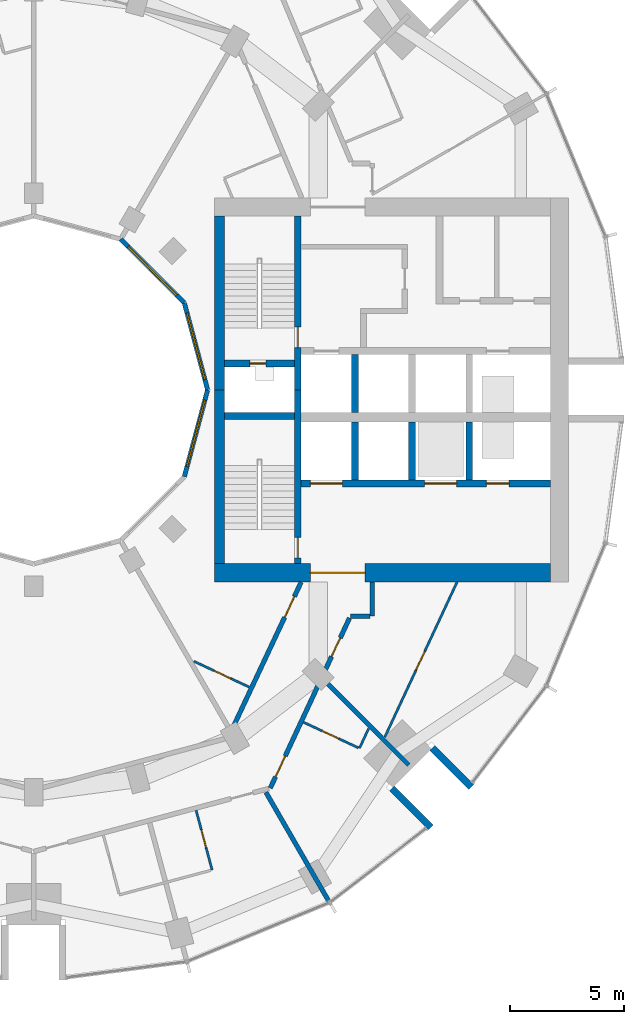
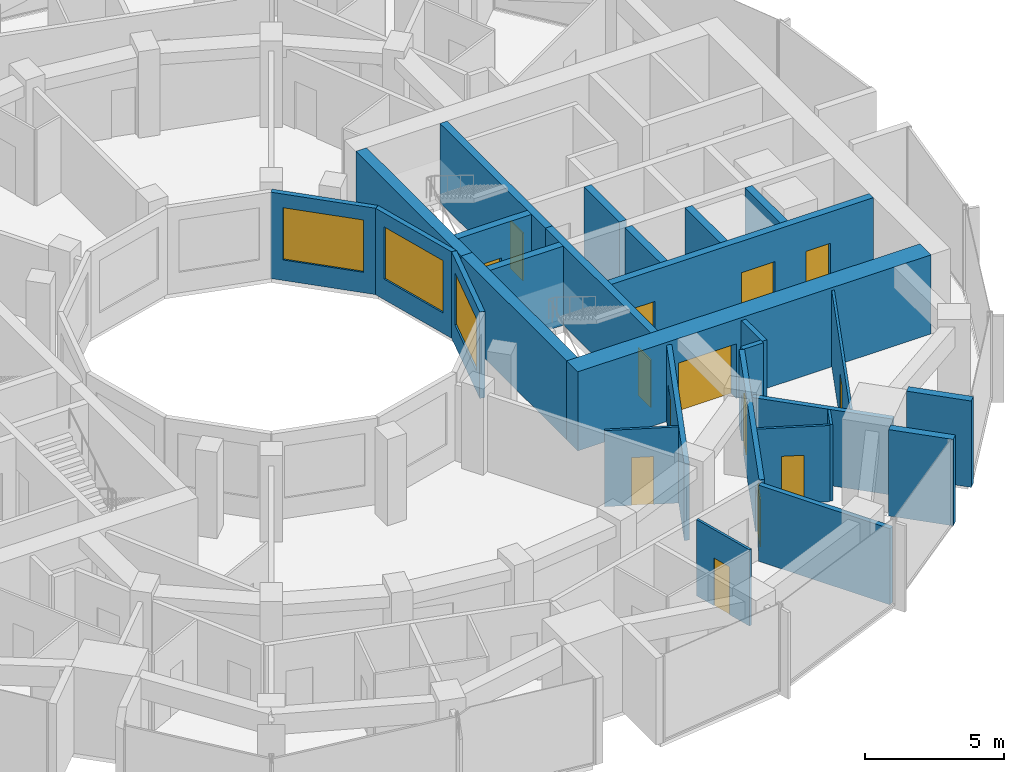
# One storey, part 10 of 15: 28 walls, 14 doors, 3 windows, 17 openings.
"""IFC4 building model written with IfcOpenShell, lengths in metres."""

from ifc_helpers import new_model, si_unit, direction, frame, frame_2d, origin, place, context, subcontext, project, spatial, rectangle, extrude, material, layer, layer_set, type_object, element, fill, save


model = new_model("IFC4")

# Units and contexts
model_context = context("Model", 3, precision=1e-05, world=origin(), true_north=direction((0.0, 1.0)))
body_context = subcontext(model_context, "Body", "Model", "MODEL_VIEW")
ifc_project = project(units=[si_unit("LENGTHUNIT", "METRE"), si_unit("AREAUNIT", "SQUARE_METRE"), si_unit("VOLUMEUNIT", "CUBIC_METRE"), si_unit("PLANEANGLEUNIT", "RADIAN"), si_unit("MASSUNIT", "GRAM", prefix="KILO")], contexts=[model_context])

# Site, building, storey
site_placement = place(None, origin())
site = spatial("IfcSite", under=ifc_project, at=site_placement, CompositionType="ELEMENT")
building_placement = place(site_placement, origin())
building = spatial("IfcBuilding", under=site, at=building_placement, Name="Torre Brocal", CompositionType="ELEMENT")
storey_placement = place(building_placement, frame((0.0, 0.0, 90.0)))
storey = spatial("IfcBuildingStorey", under=building, at=storey_placement, Name="L20", CompositionType="ELEMENT", Elevation=90.0)

# Wall, opening, door
ifc_material_1 = material(Name="Concrete C80", Category="concrete")
ifc_layer_1 = layer(ifc_material_1, 0.300048828125)
ifc_layer_set_1 = layer_set([ifc_layer_1], Name="Concrete C80")
wall_type_1 = type_object("IfcWallType", Name="CORE WALL 300 C80", PredefinedType="SHEAR", material=ifc_layer_set_1)
wall_1_placement = place(storey_placement, frame((91.550048828125, 75.0, 0.0), z_axis=(0.0, 0.0, 1.0), x_axis=(0.0, 1.0, 0.0)))
wall_1 = element("IfcWall", 1, at=wall_1_placement, inside=storey, type_object=wall_type_1, Name="Wall CW300-80", PredefinedType="SHEAR", context=body_context, shape_type="SweptSolid", body=[
    extrude(rectangle(XDim=7.60009765625, YDim=0.300048828125, at=frame_2d((3.800048828125, 0.0))), origin(), (0.0, 0.0, 1.0), 3.47998046875),
])
opening_1_placement = place(wall_1_placement, frame((1.85009765625, 0.0, 0.0)))
opening_1 = element("IfcOpeningElement", 2, at=opening_1_placement, cuts=wall_1, Name="Opening E-D02", PredefinedType="OPENING", context=body_context, shape_type="SweptSolid", body=[
    extrude(rectangle(XDim=0.89990234375, YDim=2.10009765625, at=frame_2d((0.449951171875, 1.050048828125))), frame((0.0, 0.159912109375, 0.0), z_axis=(0.0, -1.0, 0.0), x_axis=(1.0, 0.0, 0.0)), (0.0, 0.0, 1.0), 0.320068359375),
])
ifc_material_2 = material(Name="Steel A653", Category="steel")
door_type_1 = type_object("IfcDoorType", Name="STAIR DOOR FD120 900X2100", OperationType="SINGLE_SWING_RIGHT", PredefinedType="DOOR", material=ifc_material_2)
door_1_placement = place(opening_1_placement, origin())
door_1 = element("IfcDoor", 3, at=door_1_placement, inside=storey, type_object=door_type_1, Name="Door E-D02", OperationType="SINGLE_SWING_LEFT", OverallHeight=2.10009765625, OverallWidth=0.89990234375, PredefinedType="DOOR", context=body_context, shape_type="SweptSolid", body=[
    extrude(rectangle(XDim=0.89990234375, YDim=2.10009765625, at=frame_2d((0.449951171875, 1.050048828125))), frame((0.0, 0.02490234375, 0.0), z_axis=(0.0, -1.0, 0.0), x_axis=(1.0, 0.0, 0.0)), (0.0, 0.0, 1.0), 0.050048828125),
])
fill(opening_1, door_1)

wall_2_placement = place(storey_placement, frame((91.550048828125, 67.39990234375, 0.0), z_axis=(0.0, 0.0, 1.0), x_axis=(0.0, 1.0, 0.0)))
wall_2 = element("IfcWall", 4, at=wall_2_placement, inside=storey, type_object=wall_type_1, Name="Wall CW300-80", PredefinedType="SHEAR", context=body_context, shape_type="SweptSolid", body=[
    extrude(rectangle(XDim=7.60009765625, YDim=0.300048828125, at=frame_2d((3.800048828125, 0.0))), origin(), (0.0, 0.0, 1.0), 3.47998046875),
])
opening_2_placement = place(wall_2_placement, frame((0.25, 0.0, 0.0)))
opening_2 = element("IfcOpeningElement", 5, at=opening_2_placement, cuts=wall_2, Name="Opening E-D03", PredefinedType="OPENING", context=body_context, shape_type="SweptSolid", body=[
    extrude(rectangle(XDim=0.89990234375, YDim=2.10009765625, at=frame_2d((0.449951171875, 1.050048828125))), frame((0.0, 0.159912109375, 0.0), z_axis=(0.0, -1.0, 0.0), x_axis=(1.0, 0.0, 0.0)), (0.0, 0.0, 1.0), 0.320068359375),
])
door_2_placement = place(opening_2_placement, origin())
door_2 = element("IfcDoor", 6, at=door_2_placement, inside=storey, type_object=door_type_1, Name="Door E-D03", OperationType="SINGLE_SWING_LEFT", OverallHeight=2.10009765625, OverallWidth=0.89990234375, PredefinedType="DOOR", context=body_context, shape_type="SweptSolid", body=[
    extrude(rectangle(XDim=0.89990234375, YDim=2.10009765625, at=frame_2d((0.449951171875, 1.050048828125))), frame((0.0, 0.02490234375, 0.0), z_axis=(0.0, -1.0, 0.0), x_axis=(1.0, 0.0, 0.0)), (0.0, 0.0, 1.0), 0.050048828125),
])
fill(opening_2, door_2)

wall_3_placement = place(storey_placement, frame((88.35009765625, 76.14990234375, 0.0), z_axis=(0.0, 0.0, 1.0), x_axis=(1.0, 0.0, 0.0)))
wall_3 = element("IfcWall", 7, at=wall_3_placement, inside=storey, type_object=wall_type_1, Name="Wall CW300-80", PredefinedType="SHEAR", context=body_context, shape_type="SweptSolid", body=[
    extrude(rectangle(XDim=3.0498046875, YDim=0.300048828125, at=frame_2d((1.52490234375, 0.0))), origin(), (0.0, 0.0, 1.0), 3.47998046875),
])
opening_3_placement = place(wall_3_placement, frame((1.10009765625, 0.0, 0.0)))
opening_3 = element("IfcOpeningElement", 8, at=opening_3_placement, cuts=wall_3, Name="Opening E-D01", PredefinedType="OPENING", context=body_context, shape_type="SweptSolid", body=[
    extrude(rectangle(XDim=0.699951171875, YDim=2.0, at=frame_2d((0.35009765625, 1.0))), frame((0.0, 0.159912109375, 0.0), z_axis=(0.0, -1.0, 0.0), x_axis=(1.0, 0.0, 0.0)), (0.0, 0.0, 1.0), 0.320068359375),
])
ifc_material_3 = material(Name="Steel A653", Category="steel")
door_type_2 = type_object("IfcDoorType", Name="RISER DOOR FD120 700X2000", OperationType="SINGLE_SWING_LEFT", PredefinedType="DOOR", material=ifc_material_3)
door_3_placement = place(opening_3_placement, frame((0.699951171875, 0.0, 0.0), z_axis=(0.0, 0.0, 1.0), x_axis=(-1.0, 0.0, 0.0)))
door_3 = element("IfcDoor", 9, at=door_3_placement, inside=storey, type_object=door_type_2, Name="Door E-D01", OperationType="SINGLE_SWING_RIGHT", OverallHeight=2.0, OverallWidth=0.699951171875, PredefinedType="DOOR", context=body_context, shape_type="SweptSolid", body=[
    extrude(rectangle(XDim=0.699951171875, YDim=2.0, at=frame_2d((0.35009765625, 1.0))), frame((0.0, 0.02490234375, 0.0), z_axis=(0.0, -1.0, 0.0), x_axis=(1.0, 0.0, 0.0)), (0.0, 0.0, 1.0), 0.050048828125),
])
fill(opening_3, door_3)

# Wall
wall_4_placement = place(storey_placement, frame((88.35009765625, 73.85009765625, 0.0), z_axis=(0.0, 0.0, 1.0), x_axis=(1.0, 0.0, 0.0)))
element("IfcWall", 10, at=wall_4_placement, inside=storey, type_object=wall_type_1, Name="Wall CW300-80", PredefinedType="SHEAR", context=body_context, shape_type="SweptSolid", body=[
    extrude(rectangle(XDim=3.0498046875, YDim=0.300048828125, at=frame_2d((1.52490234375, 0.0))), origin(), (0.0, 0.0, 1.0), 3.47998046875),
])

# Wall, openings, doors
wall_5_placement = place(storey_placement, frame((91.699951171875, 70.89990234375, 0.0), z_axis=(0.0, 0.0, 1.0), x_axis=(1.0, 0.0, 0.0)))
wall_5 = element("IfcWall", 11, at=wall_5_placement, inside=storey, type_object=wall_type_1, Name="Wall CW300-80", PredefinedType="SHEAR", context=body_context, shape_type="SweptSolid", body=[
    extrude(rectangle(XDim=10.900146484375, YDim=0.300048828125, at=frame_2d((5.4501953125, 0.0))), origin(), (0.0, 0.0, 1.0), 3.47998046875),
])
opening_4_placement = place(wall_5_placement, frame((0.39990234375, 0.0, 0.0)))
opening_4 = element("IfcOpeningElement", 12, at=opening_4_placement, cuts=wall_5, Name="Opening LD14", PredefinedType="OPENING", context=body_context, shape_type="SweptSolid", body=[
    extrude(rectangle(XDim=1.39990234375, YDim=2.10009765625, at=frame_2d((0.699951171875, 1.050048828125))), frame((0.0, 0.159912109375, 0.0), z_axis=(0.0, -1.0, 0.0), x_axis=(1.0, 0.0, 0.0)), (0.0, 0.0, 1.0), 0.320068359375),
])
opening_5_placement = place(wall_5_placement, frame((5.39990234375, 0.0, 0.0)))
opening_5 = element("IfcOpeningElement", 13, at=opening_5_placement, cuts=wall_5, Name="Opening LD14", PredefinedType="OPENING", context=body_context, shape_type="SweptSolid", body=[
    extrude(rectangle(XDim=1.39990234375, YDim=2.10009765625, at=frame_2d((0.699951171875, 1.050048828125))), frame((0.0, 0.159912109375, 0.0), z_axis=(0.0, -1.0, 0.0), x_axis=(1.0, 0.0, 0.0)), (0.0, 0.0, 1.0), 0.320068359375),
])
opening_6_placement = place(wall_5_placement, frame((8.10009765625, 0.0, 0.0)))
opening_6 = element("IfcOpeningElement", 14, at=opening_6_placement, cuts=wall_5, Name="Opening LD10", PredefinedType="OPENING", context=body_context, shape_type="SweptSolid", body=[
    extrude(rectangle(XDim=1.0, YDim=2.10009765625, at=frame_2d((0.5, 1.050048828125))), frame((0.0, 0.159912109375, 0.0), z_axis=(0.0, -1.0, 0.0), x_axis=(1.0, 0.0, 0.0)), (0.0, 0.0, 1.0), 0.320068359375),
])
ifc_material_4 = material(Name="Stainless steel AISI 316", Category="steel")
door_type_3 = type_object("IfcDoorType", Name="LIFT LANDING DOOR 1000X2100", OperationType="DOUBLE_DOOR_SLIDING", PredefinedType="DOOR", material=ifc_material_4)
door_4_placement = place(opening_6_placement, origin())
door_4 = element("IfcDoor", 15, at=door_4_placement, inside=storey, type_object=door_type_3, Name="Door LD10", OperationType="DOUBLE_DOOR_SLIDING", OverallHeight=2.10009765625, OverallWidth=1.0, PredefinedType="DOOR", context=body_context, shape_type="SweptSolid", body=[
    extrude(rectangle(XDim=1.0, YDim=2.10009765625, at=frame_2d((0.5, 1.050048828125))), frame((0.0, 0.02490234375, 0.0), z_axis=(0.0, -1.0, 0.0), x_axis=(1.0, 0.0, 0.0)), (0.0, 0.0, 1.0), 0.050048828125),
])
fill(opening_6, door_4)
ifc_material_5 = material(Name="Stainless steel AISI 316", Category="steel")
door_type_4 = type_object("IfcDoorType", Name="LIFT LANDING DOOR 1400X2100", OperationType="DOUBLE_DOOR_SLIDING", PredefinedType="DOOR", material=ifc_material_5)
door_5_placement = place(opening_4_placement, origin())
door_5 = element("IfcDoor", 16, at=door_5_placement, inside=storey, type_object=door_type_4, Name="Door LD14", OperationType="DOUBLE_DOOR_SLIDING", OverallHeight=2.10009765625, OverallWidth=1.39990234375, PredefinedType="DOOR", context=body_context, shape_type="SweptSolid", body=[
    extrude(rectangle(XDim=1.39990234375, YDim=2.10009765625, at=frame_2d((0.699951171875, 1.050048828125))), frame((0.0, 0.02490234375, 0.0), z_axis=(0.0, -1.0, 0.0), x_axis=(1.0, 0.0, 0.0)), (0.0, 0.0, 1.0), 0.050048828125),
])
fill(opening_4, door_5)
door_6_placement = place(opening_5_placement, origin())
door_6 = element("IfcDoor", 17, at=door_6_placement, inside=storey, type_object=door_type_4, Name="Door LD14", OperationType="DOUBLE_DOOR_SLIDING", OverallHeight=2.10009765625, OverallWidth=1.39990234375, PredefinedType="DOOR", context=body_context, shape_type="SweptSolid", body=[
    extrude(rectangle(XDim=1.39990234375, YDim=2.10009765625, at=frame_2d((0.699951171875, 1.050048828125))), frame((0.0, 0.02490234375, 0.0), z_axis=(0.0, -1.0, 0.0), x_axis=(1.0, 0.0, 0.0)), (0.0, 0.0, 1.0), 0.050048828125),
])
fill(opening_5, door_6)

# Walls
for number, where, z_axis, x_axis, name in (
    (18, (94.050048828125, 74.0, 0.0), (0.0, 0.0, 1.0), (0.0, 1.0, 0.0), "Wall CW300-80"),
    (19, (94.050048828125, 71.050048828125, 0.0), (0.0, 0.0, 1.0), (0.0, 1.0, 0.0), "Wall CW300-80"),
    (20, (96.550048828125, 71.050048828125, 0.0), (0.0, 0.0, 1.0), (0.0, 1.0, 0.0), "Wall CW300-80"),
    (21, (99.050048828125, 71.050048828125, 0.0), (0.0, 0.0, 1.0), (0.0, 1.0, 0.0), "Wall CW300-80"),
):
    element("IfcWall", number, at=place(storey_placement, frame(where, z_axis=z_axis, x_axis=x_axis)), inside=storey, type_object=wall_type_1, Name=name, PredefinedType="SHEAR", context=body_context, shape_type="SweptSolid", body=[
        extrude(rectangle(XDim=2.550048828125, YDim=0.300048828125, at=frame_2d((1.27490234375, 0.0))), origin(), (0.0, 0.0, 1.0), 3.47998046875),
    ])
ifc_material_6 = material(Name="Concrete C80", Category="concrete")
ifc_layer_2 = layer(ifc_material_6, 0.449951171875)
ifc_layer_set_2 = layer_set([ifc_layer_2], Name="Concrete C80")
wall_type_2 = type_object("IfcWallType", Name="CORE WALL 450 C80", PredefinedType="SHEAR", material=ifc_layer_set_2)
for number, where, z_axis, x_axis, name in (
    (22, (88.125, 75.0, 0.0), (0.0, 0.0, 1.0), (0.0, 1.0, 0.0), "Wall CW450-80"),
    (23, (88.125, 67.39990234375, 0.0), (0.0, 0.0, 1.0), (0.0, 1.0, 0.0), "Wall CW450-80"),
):
    element("IfcWall", number, at=place(storey_placement, frame(where, z_axis=z_axis, x_axis=x_axis)), inside=storey, type_object=wall_type_2, Name=name, PredefinedType="SHEAR", context=body_context, shape_type="SweptSolid", body=[
        extrude(rectangle(XDim=7.60009765625, YDim=0.449951171875, at=frame_2d((3.800048828125, 0.0))), origin(), (0.0, 0.0, 1.0), 3.47998046875),
    ])

# Wall, opening, door
ifc_material_7 = material(Name="Concrete C80", Category="concrete")
ifc_layer_3 = layer(ifc_material_7, 0.800048828125)
ifc_layer_set_3 = layer_set([ifc_layer_3], Name="Concrete C80")
wall_type_3 = type_object("IfcWallType", Name="CORE WALL 800 C80", PredefinedType="SHEAR", material=ifc_layer_set_3)
wall_6_placement = place(storey_placement, frame((87.89990234375, 67.0, 0.0), z_axis=(0.0, 0.0, 1.0), x_axis=(1.0, 0.0, 0.0)))
wall_6 = element("IfcWall", 24, at=wall_6_placement, inside=storey, type_object=wall_type_3, Name="Wall CW800-80", PredefinedType="SHEAR", context=body_context, shape_type="SweptSolid", body=[
    extrude(rectangle(XDim=14.7001953125, YDim=0.800048828125, at=frame_2d((7.35009765625, 0.0))), origin(), (0.0, 0.0, 1.0), 3.47998046875),
])
opening_7_placement = place(wall_6_placement, frame((4.199951171875, 0.0, 0.0)))
opening_7 = element("IfcOpeningElement", 25, at=opening_7_placement, cuts=wall_6, Name="Opening E-D27", PredefinedType="OPENING", context=body_context, shape_type="SweptSolid", body=[
    extrude(rectangle(XDim=2.39990234375, YDim=2.39990234375, at=frame_2d((1.199951171875, 1.199951171875))), frame((0.0, 0.409912109375, 0.0), z_axis=(0.0, -1.0, 0.0), x_axis=(1.0, 0.0, 0.0)), (0.0, 0.0, 1.0), 0.820068359375),
])
ifc_material_8 = material(Name="Steel A653", Category="steel")
door_type_5 = type_object("IfcDoorType", Name="DOUBLE FIRE DOOR FD90 2400X2400", OperationType="DOUBLE_DOOR_SINGLE_SWING", PredefinedType="DOOR", material=ifc_material_8)
door_7_placement = place(opening_7_placement, origin())
door_7 = element("IfcDoor", 26, at=door_7_placement, inside=storey, type_object=door_type_5, Name="Door E-D27", OperationType="DOUBLE_DOOR_SINGLE_SWING", OverallHeight=2.39990234375, OverallWidth=2.39990234375, PredefinedType="DOOR", context=body_context, shape_type="SweptSolid", body=[
    extrude(rectangle(XDim=2.39990234375, YDim=2.39990234375, at=frame_2d((1.199951171875, 1.199951171875))), frame((0.0, 0.02490234375, 0.0), z_axis=(0.0, -1.0, 0.0), x_axis=(1.0, 0.0, 0.0)), (0.0, 0.0, 1.0), 0.050048828125),
])
fill(opening_7, door_7)

# Walls
ifc_material_9 = material(Name="Concrete C80", Category="concrete")
ifc_layer_4 = layer(ifc_material_9, 0.300048828125)
ifc_layer_set_4 = layer_set([ifc_layer_4], Name="Concrete C80")
wall_type_4 = type_object("IfcWallType", Name="NOTCH RETURN WALL 300 C80", PredefinedType="NOTDEFINED", material=ifc_layer_set_4)
for number, where, z_axis, x_axis, name in (
    (27, (95.662353515625, 57.56982421875, 0.0), (0.0, 0.0, 1.0), (0.707106781187, -0.707106781187, 0.0), "NOTCH RETURN WALL"),
    (28, (97.43017578125, 59.337646484375, 0.0), (0.0, 0.0, 1.0), (0.707106781187, -0.707106781187, 0.0), "NOTCH RETURN WALL"),
):
    element("IfcWall", number, at=place(storey_placement, frame(where, z_axis=z_axis, x_axis=x_axis)), inside=storey, type_object=wall_type_4, Name=name, PredefinedType="NOTDEFINED", context=body_context, shape_type="SweptSolid", body=[
        extrude(rectangle(XDim=2.415771484375, YDim=0.300048828125, at=frame_2d((1.2080078125, 0.0))), origin(), (0.0, 0.0, 1.0), 3.800048828125),
    ])

# Wall, opening, door
ifc_material_10 = material(Name="Gypsum board", Category="Gypsum")
ifc_layer_5 = layer(ifc_material_10, 0.10009765625)
ifc_layer_set_5 = layer_set([ifc_layer_5], Name="Gypsum board")
wall_type_5 = type_object("IfcWallType", Name="PARTITION 100", PredefinedType="PARTITIONING", material=ifc_layer_set_5)
wall_7_placement = place(storey_placement, frame((87.006103515625, 63.124267578125, 0.0), z_axis=(0.0, 0.0, 1.0), x_axis=(0.906535604863, -0.422129360642, 0.0)))
wall_7 = element("IfcWall", 29, at=wall_7_placement, inside=storey, type_object=wall_type_5, Name="BATHROOM WALL", PredefinedType="PARTITIONING", context=body_context, shape_type="SweptSolid", body=[
    extrude(rectangle(XDim=2.669677734375, YDim=0.10009765625, at=frame_2d((1.3349609375, 0.0))), origin(), (0.0, 0.0, 1.0), 3.35009765625),
])
opening_8_placement = place(wall_7_placement, frame((0.969970703125, 0.0, 0.0)))
opening_8 = element("IfcOpeningElement", 30, at=opening_8_placement, cuts=wall_7, Name="Opening H05-D42", PredefinedType="OPENING", context=body_context, shape_type="SweptSolid", body=[
    extrude(rectangle(XDim=0.800048828125, YDim=2.10009765625, at=frame_2d((0.39990234375, 1.050048828125))), frame((0.0, 0.06005859375, 0.0), z_axis=(0.0, -1.0, 0.0), x_axis=(1.0, 0.0, 0.0)), (0.0, 0.0, 1.0), 0.1201171875),
])
ifc_material_11 = material(Name="Timber", Category="wood")
door_type_6 = type_object("IfcDoorType", Name="BATHROOM DOOR 800X2100", OperationType="SINGLE_SWING_LEFT", PredefinedType="DOOR", material=ifc_material_11)
door_8_placement = place(opening_8_placement, frame((0.800048828125, 0.0, 0.0), z_axis=(0.0, 0.0, 1.0), x_axis=(-1.0, 0.0, 0.0)))
door_8 = element("IfcDoor", 31, at=door_8_placement, inside=storey, type_object=door_type_6, Name="H05-D42", OperationType="SINGLE_SWING_RIGHT", OverallHeight=2.10009765625, OverallWidth=0.800048828125, PredefinedType="DOOR", context=body_context, shape_type="SweptSolid", body=[
    extrude(rectangle(XDim=0.800048828125, YDim=2.10009765625, at=frame_2d((0.39990234375, 1.050048828125))), frame((0.0, 0.02490234375, 0.0), z_axis=(0.0, -1.0, 0.0), x_axis=(1.0, 0.0, 0.0)), (0.0, 0.0, 1.0), 0.050048828125),
])
fill(opening_8, door_8)

wall_8_placement = place(storey_placement, frame((87.10302734375, 56.60400390625, 0.0), z_axis=(0.0, 0.0, 1.0), x_axis=(0.258883730688, -0.965908491517, 0.0)))
wall_8 = element("IfcWall", 32, at=wall_8_placement, inside=storey, type_object=wall_type_5, Name="BATHROOM WALL", PredefinedType="PARTITIONING", context=body_context, shape_type="SweptSolid", body=[
    extrude(rectangle(XDim=2.699951171875, YDim=0.10009765625, at=frame_2d((1.35009765625, 0.0))), origin(), (0.0, 0.0, 1.0), 3.35009765625),
])
opening_9_placement = place(wall_8_placement, frame((0.899658203125, 0.0, 0.0)))
opening_9 = element("IfcOpeningElement", 33, at=opening_9_placement, cuts=wall_8, Name="Opening H05-D29", PredefinedType="OPENING", context=body_context, shape_type="SweptSolid", body=[
    extrude(rectangle(XDim=0.800048828125, YDim=2.10009765625, at=frame_2d((0.39990234375, 1.050048828125))), frame((0.0, 0.06005859375, 0.0), z_axis=(0.0, -1.0, 0.0), x_axis=(1.0, 0.0, 0.0)), (0.0, 0.0, 1.0), 0.1201171875),
])
door_9_placement = place(opening_9_placement, frame((0.800048828125, 0.0, 0.0), z_axis=(0.0, 0.0, 1.0), x_axis=(-1.0, 0.0, 0.0)))
door_9 = element("IfcDoor", 34, at=door_9_placement, inside=storey, type_object=door_type_6, Name="H05-D29", OperationType="SINGLE_SWING_RIGHT", OverallHeight=2.10009765625, OverallWidth=0.800048828125, PredefinedType="DOOR", context=body_context, shape_type="SweptSolid", body=[
    extrude(rectangle(XDim=0.800048828125, YDim=2.10009765625, at=frame_2d((0.39990234375, 1.050048828125))), frame((0.0, 0.02490234375, 0.0), z_axis=(0.0, -1.0, 0.0), x_axis=(1.0, 0.0, 0.0)), (0.0, 0.0, 1.0), 0.050048828125),
])
fill(opening_9, door_9)

wall_9_placement = place(storey_placement, frame((91.7998046875, 60.458740234375, 0.0), z_axis=(0.0, 0.0, 1.0), x_axis=(0.906644059932, -0.421896371861, 0.0)))
wall_9 = element("IfcWall", 35, at=wall_9_placement, inside=storey, type_object=wall_type_5, Name="BATHROOM WALL", PredefinedType="PARTITIONING", context=body_context, shape_type="SweptSolid", body=[
    extrude(rectangle(XDim=2.649169921875, YDim=0.10009765625, at=frame_2d((1.32470703125, 0.0))), origin(), (0.0, 0.0, 1.0), 3.35009765625),
])
opening_10_placement = place(wall_9_placement, frame((0.8994140625, 0.0, 0.0)))
opening_10 = element("IfcOpeningElement", 36, at=opening_10_placement, cuts=wall_9, Name="Opening H05-D27", PredefinedType="OPENING", context=body_context, shape_type="SweptSolid", body=[
    extrude(rectangle(XDim=0.800048828125, YDim=2.10009765625, at=frame_2d((0.39990234375, 1.050048828125))), frame((0.0, 0.06005859375, 0.0), z_axis=(0.0, -1.0, 0.0), x_axis=(1.0, 0.0, 0.0)), (0.0, 0.0, 1.0), 0.1201171875),
])
door_10_placement = place(opening_10_placement, origin())
door_10 = element("IfcDoor", 37, at=door_10_placement, inside=storey, type_object=door_type_6, Name="H05-D27", OperationType="SINGLE_SWING_LEFT", OverallHeight=2.10009765625, OverallWidth=0.800048828125, PredefinedType="DOOR", context=body_context, shape_type="SweptSolid", body=[
    extrude(rectangle(XDim=0.800048828125, YDim=2.10009765625, at=frame_2d((0.39990234375, 1.050048828125))), frame((0.0, 0.02490234375, 0.0), z_axis=(0.0, -1.0, 0.0), x_axis=(1.0, 0.0, 0.0)), (0.0, 0.0, 1.0), 0.050048828125),
])
fill(opening_10, door_10)

# Wall
wall_10_placement = place(storey_placement, frame((94.2470703125, 59.320068359375, 0.0), z_axis=(0.0, 0.0, 1.0), x_axis=(0.422660124657, 0.906288264861, 0.0)))
element("IfcWall", 38, at=wall_10_placement, inside=storey, type_object=wall_type_5, Name="BATHROOM WALL", PredefinedType="PARTITIONING", context=body_context, shape_type="SweptSolid", body=[
    extrude(rectangle(XDim=0.948974609375, YDim=0.10009765625, at=frame_2d((0.474609375, 0.0))), origin(), (0.0, 0.0, 1.0), 3.35009765625),
])

# Wall, opening, door
wall_11_placement = place(storey_placement, frame((95.354736328125, 59.805908203125, 0.0), z_axis=(0.0, 0.0, 1.0), x_axis=(0.422407546544, 0.906406015328, 0.0)))
wall_11 = element("IfcWall", 39, at=wall_11_placement, inside=storey, type_object=wall_type_5, Name="ROOM PARTITION", PredefinedType="PARTITIONING", context=body_context, shape_type="SweptSolid", body=[
    extrude(rectangle(XDim=7.495849609375, YDim=0.10009765625, at=frame_2d((3.748046875, 0.0))), origin(), (0.0, 0.0, 1.0), 3.35009765625),
])
opening_11_placement = place(wall_11_placement, frame((3.23779296875, 0.0, 0.0)))
opening_11 = element("IfcOpeningElement", 40, at=opening_11_placement, cuts=wall_11, Name="Opening H05-D25", PredefinedType="OPENING", context=body_context, shape_type="SweptSolid", body=[
    extrude(rectangle(XDim=0.89990234375, YDim=2.10009765625, at=frame_2d((0.449951171875, 1.050048828125))), frame((0.0, 0.06005859375, 0.0), z_axis=(0.0, -1.0, 0.0), x_axis=(1.0, 0.0, 0.0)), (0.0, 0.0, 1.0), 0.1201171875),
])
ifc_material_12 = material(Name="Timber", Category="wood")
door_type_7 = type_object("IfcDoorType", Name="ROOM DOOR 900X2100", OperationType="SINGLE_SWING_LEFT", PredefinedType="DOOR", material=ifc_material_12)
door_11_placement = place(opening_11_placement, origin())
door_11 = element("IfcDoor", 41, at=door_11_placement, inside=storey, type_object=door_type_7, Name="H05-D25", OperationType="SINGLE_SWING_RIGHT", OverallHeight=2.10009765625, OverallWidth=0.89990234375, PredefinedType="DOOR", context=body_context, shape_type="SweptSolid", body=[
    extrude(rectangle(XDim=0.89990234375, YDim=2.10009765625, at=frame_2d((0.449951171875, 1.050048828125))), frame((0.0, 0.02490234375, 0.0), z_axis=(0.0, -1.0, 0.0), x_axis=(1.0, 0.0, 0.0)), (0.0, 0.0, 1.0), 0.050048828125),
])
fill(opening_11, door_11)

ifc_material_13 = material(Name="Gypsum board", Category="Gypsum")
ifc_layer_6 = layer(ifc_material_13, 0.199951171875)
ifc_layer_set_6 = layer_set([ifc_layer_6], Name="Gypsum board")
wall_type_6 = type_object("IfcWallType", Name="PARTITION 200 EI60", PredefinedType="PARTITIONING", material=ifc_layer_set_6)
wall_12_placement = place(storey_placement, frame((88.500732421875, 59.774658203125, 0.0), z_axis=(0.0, 0.0, 1.0), x_axis=(0.424700525505, 0.905333896215, 0.0)))
wall_12 = element("IfcWall", 42, at=wall_12_placement, inside=storey, type_object=wall_type_6, Name="GUESTROOM CORRIDOR WALL", PredefinedType="PARTITIONING", context=body_context, shape_type="SweptSolid", body=[
    extrude(rectangle(XDim=7.529541015625, YDim=0.199951171875, at=frame_2d((3.7646484375, 0.0))), origin(), (0.0, 0.0, 1.0), 3.35009765625),
])
opening_12_placement = place(wall_12_placement, frame((5.82958984375, 0.0, 0.0)))
opening_12 = element("IfcOpeningElement", 43, at=opening_12_placement, cuts=wall_12, Name="Opening H05-D41", PredefinedType="OPENING", context=body_context, shape_type="SweptSolid", body=[
    extrude(rectangle(XDim=1.0, YDim=2.10009765625, at=frame_2d((0.5, 1.050048828125))), frame((0.0, 0.10986328125, 0.0), z_axis=(0.0, -1.0, 0.0), x_axis=(1.0, 0.0, 0.0)), (0.0, 0.0, 1.0), 0.219970703125),
])
ifc_material_14 = material(Name="Timber", Category="wood")
door_type_8 = type_object("IfcDoorType", Name="FLAT ENTRY DOOR FD30S 1000X2100", OperationType="SINGLE_SWING_RIGHT", PredefinedType="DOOR", material=ifc_material_14)
door_12_placement = place(opening_12_placement, origin())
door_12 = element("IfcDoor", 44, at=door_12_placement, inside=storey, type_object=door_type_8, Name="H05-D41", OperationType="SINGLE_SWING_RIGHT", OverallHeight=2.10009765625, OverallWidth=1.0, PredefinedType="DOOR", context=body_context, shape_type="SweptSolid", body=[
    extrude(rectangle(XDim=1.0, YDim=2.10009765625, at=frame_2d((0.5, 1.050048828125))), frame((0.0, 0.02490234375, 0.0), z_axis=(0.0, -1.0, 0.0), x_axis=(1.0, 0.0, 0.0)), (0.0, 0.0, 1.0), 0.050048828125),
])
fill(opening_12, door_12)

# Wall
wall_13_placement = place(storey_placement, frame((90.156982421875, 57.393798828125, 0.0), z_axis=(0.0, 0.0, 1.0), x_axis=(0.499815153866, -0.86613209845, 0.0)))
element("IfcWall", 45, at=wall_13_placement, inside=storey, type_object=wall_type_6, Name="PARTY PARTITION", PredefinedType="PARTITIONING", context=body_context, shape_type="SweptSolid", body=[
    extrude(rectangle(XDim=5.4716796875, YDim=0.199951171875, at=frame_2d((2.73583984375, 0.0))), origin(), (0.0, 0.0, 1.0), 3.35009765625),
])

# Wall, openings, doors
wall_14_placement = place(storey_placement, frame((90.346435546875, 57.577880859375, 0.0), z_axis=(0.0, 0.0, 1.0), x_axis=(0.422403412327, 0.906407941964, 0.0)))
wall_14 = element("IfcWall", 46, at=wall_14_placement, inside=storey, type_object=wall_type_6, Name="GUESTROOM CORRIDOR WALL", PredefinedType="PARTITIONING", context=body_context, shape_type="SweptSolid", body=[
    extrude(rectangle(XDim=8.2080078125, YDim=0.199951171875, at=frame_2d((4.10400390625, 0.0))), origin(), (0.0, 0.0, 1.0), 3.35009765625),
])
opening_13_placement = place(wall_14_placement, frame((6.351318359375, 0.0, 0.0)))
opening_13 = element("IfcOpeningElement", 47, at=opening_13_placement, cuts=wall_14, Name="Opening H05-D24", PredefinedType="OPENING", context=body_context, shape_type="SweptSolid", body=[
    extrude(rectangle(XDim=0.89990234375, YDim=2.10009765625, at=frame_2d((0.449951171875, 1.050048828125))), frame((0.0, 0.10986328125, 0.0), z_axis=(0.0, -1.0, 0.0), x_axis=(1.0, 0.0, 0.0)), (0.0, 0.0, 1.0), 0.219970703125),
])
opening_14_placement = place(wall_14_placement, frame((0.550048828125, 0.0, 0.0)))
opening_14 = element("IfcOpeningElement", 48, at=opening_14_placement, cuts=wall_14, Name="Opening H05-D26", PredefinedType="OPENING", context=body_context, shape_type="SweptSolid", body=[
    extrude(rectangle(XDim=1.0, YDim=2.10009765625, at=frame_2d((0.5, 1.050048828125))), frame((0.0, 0.10986328125, 0.0), z_axis=(0.0, -1.0, 0.0), x_axis=(1.0, 0.0, 0.0)), (0.0, 0.0, 1.0), 0.219970703125),
])
door_13_placement = place(opening_14_placement, frame((1.0, 0.0, 0.0), z_axis=(0.0, 0.0, 1.0), x_axis=(-1.0, 0.0, 0.0)))
door_13 = element("IfcDoor", 49, at=door_13_placement, inside=storey, type_object=door_type_8, Name="H05-D26", OperationType="SINGLE_SWING_RIGHT", OverallHeight=2.10009765625, OverallWidth=1.0, PredefinedType="DOOR", context=body_context, shape_type="SweptSolid", body=[
    extrude(rectangle(XDim=1.0, YDim=2.10009765625, at=frame_2d((0.5, 1.050048828125))), frame((0.0, 0.02490234375, 0.0), z_axis=(0.0, -1.0, 0.0), x_axis=(1.0, 0.0, 0.0)), (0.0, 0.0, 1.0), 0.050048828125),
])
fill(opening_14, door_13)
door_14_placement = place(opening_13_placement, frame((0.89990234375, 0.0, 0.0), z_axis=(0.0, 0.0, 1.0), x_axis=(-1.0, 0.0, 0.0)))
door_14 = element("IfcDoor", 50, at=door_14_placement, inside=storey, type_object=door_type_7, Name="H05-D24", OperationType="SINGLE_SWING_RIGHT", OverallHeight=2.10009765625, OverallWidth=0.89990234375, PredefinedType="DOOR", context=body_context, shape_type="SweptSolid", body=[
    extrude(rectangle(XDim=0.89990234375, YDim=2.10009765625, at=frame_2d((0.449951171875, 1.050048828125))), frame((0.0, 0.02490234375, 0.0), z_axis=(0.0, -1.0, 0.0), x_axis=(1.0, 0.0, 0.0)), (0.0, 0.0, 1.0), 0.050048828125),
])
fill(opening_13, door_14)

# Walls
wall_15_placement = place(storey_placement, frame((92.69189453125, 62.303466796875, 0.0), z_axis=(0.0, 0.0, 1.0), x_axis=(0.706920663731, -0.707292849667, 0.0)))
element("IfcWall", 51, at=wall_15_placement, inside=storey, type_object=wall_type_6, Name="BATHROOM WALL", PredefinedType="PARTITIONING", context=body_context, shape_type="SweptSolid", body=[
    extrude(rectangle(XDim=5.247802734375, YDim=0.199951171875, at=frame_2d((2.6240234375, 0.0))), origin(), (0.0, 0.0, 1.0), 3.35009765625),
])
wall_16_placement = place(storey_placement, frame((93.85107421875, 65.10009765625, 0.0), z_axis=(0.0, 0.0, 1.0), x_axis=(1.0, 0.0, 0.0)))
element("IfcWall", 52, at=wall_16_placement, inside=storey, type_object=wall_type_6, Name="CORRIDOR WALL", PredefinedType="PARTITIONING", context=body_context, shape_type="SweptSolid", body=[
    extrude(rectangle(XDim=0.848876953125, YDim=0.199951171875, at=frame_2d((0.42431640625, 0.0))), origin(), (0.0, 0.0, 1.0), 3.35009765625),
])
wall_17_placement = place(storey_placement, frame((94.800048828125, 65.10009765625, 0.0), z_axis=(0.0, 0.0, 1.0), x_axis=(0.0, 1.0, 0.0)))
element("IfcWall", 53, at=wall_17_placement, inside=storey, type_object=wall_type_6, Name="CORRIDOR WALL", PredefinedType="PARTITIONING", context=body_context, shape_type="SweptSolid", body=[
    extrude(rectangle(XDim=1.4990234375, YDim=0.199951171875, at=frame_2d((0.74951171875, 0.0))), origin(), (0.0, 0.0, 1.0), 3.35009765625),
])

# Wall, opening, window
ifc_material_15 = material(Name="Concrete C40", Category="concrete")
ifc_layer_7 = layer(ifc_material_15, 0.199951171875)
ifc_layer_set_7 = layer_set([ifc_layer_7], Name="Concrete C40")
wall_type_7 = type_object("IfcWallType", Name="WELL FACADE WALL 200", PredefinedType="NOTDEFINED", material=ifc_layer_set_7)
wall_18_placement = place(storey_placement, frame((87.603515625, 75.0, 0.0), z_axis=(0.0, 0.0, 1.0), x_axis=(-0.258789828301, 0.965933654434, 0.0)))
wall_18 = element("IfcWall", 54, at=wall_18_placement, inside=storey, type_object=wall_type_7, Name="WELL FACADE WALL", PredefinedType="NOTDEFINED", context=body_context, shape_type="SweptSolid", body=[
    extrude(rectangle(XDim=3.935791015625, YDim=0.199951171875, at=frame_2d((1.9677734375, 0.0))), origin(), (0.0, 0.0, 1.0), 3.800048828125),
])
opening_15_placement = place(wall_18_placement, frame((0.468017578125, 0.0, 0.89990234375)))
opening_15 = element("IfcOpeningElement", 55, at=opening_15_placement, cuts=wall_18, Name="Opening W1", PredefinedType="OPENING", context=body_context, shape_type="SweptSolid", body=[
    extrude(rectangle(XDim=3.0, YDim=2.300048828125, at=frame_2d((1.5, 1.14990234375))), frame((0.0, 0.10986328125, 0.0), z_axis=(0.0, -1.0, 0.0), x_axis=(1.0, 0.0, 0.0)), (0.0, 0.0, 1.0), 0.219970703125),
])
ifc_material_16 = material(Name="Aluminium and glass", Category="aluminium")
window_type = type_object("IfcWindowType", Name="WELL WINDOW 3000X2300", PartitioningType="SINGLE_PANEL", PredefinedType="WINDOW", material=ifc_material_16)
window_1_placement = place(opening_15_placement, origin())
window_1 = element("IfcWindow", 56, at=window_1_placement, inside=storey, type_object=window_type, Name="WELL WINDOW 3000X2300", OverallHeight=2.300048828125, OverallWidth=3.0, PartitioningType="SINGLE_PANEL", PredefinedType="WINDOW", context=body_context, shape_type="SweptSolid", body=[
    extrude(rectangle(XDim=3.0, YDim=2.300048828125, at=frame_2d((1.5, 1.14990234375))), frame((0.0, 0.030029296875, 0.0), z_axis=(0.0, -1.0, 0.0), x_axis=(1.0, 0.0, 0.0)), (0.0, 0.0, 1.0), 0.06005859375),
])
fill(opening_15, window_1)

wall_19_placement = place(storey_placement, frame((86.5849609375, 78.8017578125, 0.0), z_axis=(0.0, 0.0, 1.0), x_axis=(-0.707106781187, 0.707106781187, 0.0)))
wall_19 = element("IfcWall", 57, at=wall_19_placement, inside=storey, type_object=wall_type_7, Name="WELL FACADE WALL", PredefinedType="NOTDEFINED", context=body_context, shape_type="SweptSolid", body=[
    extrude(rectangle(XDim=3.93603515625, YDim=0.199951171875, at=frame_2d((1.968017578125, 0.0))), origin(), (0.0, 0.0, 1.0), 3.800048828125),
])
opening_16_placement = place(wall_19_placement, frame((0.468017578125, 0.0, 0.89990234375)))
opening_16 = element("IfcOpeningElement", 58, at=opening_16_placement, cuts=wall_19, Name="Opening W1", PredefinedType="OPENING", context=body_context, shape_type="SweptSolid", body=[
    extrude(rectangle(XDim=3.0, YDim=2.300048828125, at=frame_2d((1.5, 1.14990234375))), frame((0.0, 0.10986328125, 0.0), z_axis=(0.0, -1.0, 0.0), x_axis=(1.0, 0.0, 0.0)), (0.0, 0.0, 1.0), 0.219970703125),
])
window_2_placement = place(opening_16_placement, origin())
window_2 = element("IfcWindow", 59, at=window_2_placement, inside=storey, type_object=window_type, Name="WELL WINDOW 3000X2300", OverallHeight=2.300048828125, OverallWidth=3.0, PartitioningType="SINGLE_PANEL", PredefinedType="WINDOW", context=body_context, shape_type="SweptSolid", body=[
    extrude(rectangle(XDim=3.0, YDim=2.300048828125, at=frame_2d((1.5, 1.14990234375))), frame((0.0, 0.030029296875, 0.0), z_axis=(0.0, -1.0, 0.0), x_axis=(1.0, 0.0, 0.0)), (0.0, 0.0, 1.0), 0.06005859375),
])
fill(opening_16, window_2)

wall_20_placement = place(storey_placement, frame((86.5849609375, 71.1982421875, 0.0), z_axis=(0.0, 0.0, 1.0), x_axis=(0.258789828301, 0.965933654434, 0.0)))
wall_20 = element("IfcWall", 60, at=wall_20_placement, inside=storey, type_object=wall_type_7, Name="WELL FACADE WALL", PredefinedType="NOTDEFINED", context=body_context, shape_type="SweptSolid", body=[
    extrude(rectangle(XDim=3.935791015625, YDim=0.199951171875, at=frame_2d((1.9677734375, 0.0))), origin(), (0.0, 0.0, 1.0), 3.800048828125),
])
opening_17_placement = place(wall_20_placement, frame((0.468017578125, 0.0, 0.89990234375)))
opening_17 = element("IfcOpeningElement", 61, at=opening_17_placement, cuts=wall_20, Name="Opening W1", PredefinedType="OPENING", context=body_context, shape_type="SweptSolid", body=[
    extrude(rectangle(XDim=3.0, YDim=2.300048828125, at=frame_2d((1.5, 1.14990234375))), frame((0.0, 0.10986328125, 0.0), z_axis=(0.0, -1.0, 0.0), x_axis=(1.0, 0.0, 0.0)), (0.0, 0.0, 1.0), 0.219970703125),
])
window_3_placement = place(opening_17_placement, origin())
window_3 = element("IfcWindow", 62, at=window_3_placement, inside=storey, type_object=window_type, Name="WELL WINDOW 3000X2300", OverallHeight=2.300048828125, OverallWidth=3.0, PartitioningType="SINGLE_PANEL", PredefinedType="WINDOW", context=body_context, shape_type="SweptSolid", body=[
    extrude(rectangle(XDim=3.0, YDim=2.300048828125, at=frame_2d((1.5, 1.14990234375))), frame((0.0, 0.030029296875, 0.0), z_axis=(0.0, -1.0, 0.0), x_axis=(1.0, 0.0, 0.0)), (0.0, 0.0, 1.0), 0.06005859375),
])
fill(opening_17, window_3)

save(model, "model.ifc")
